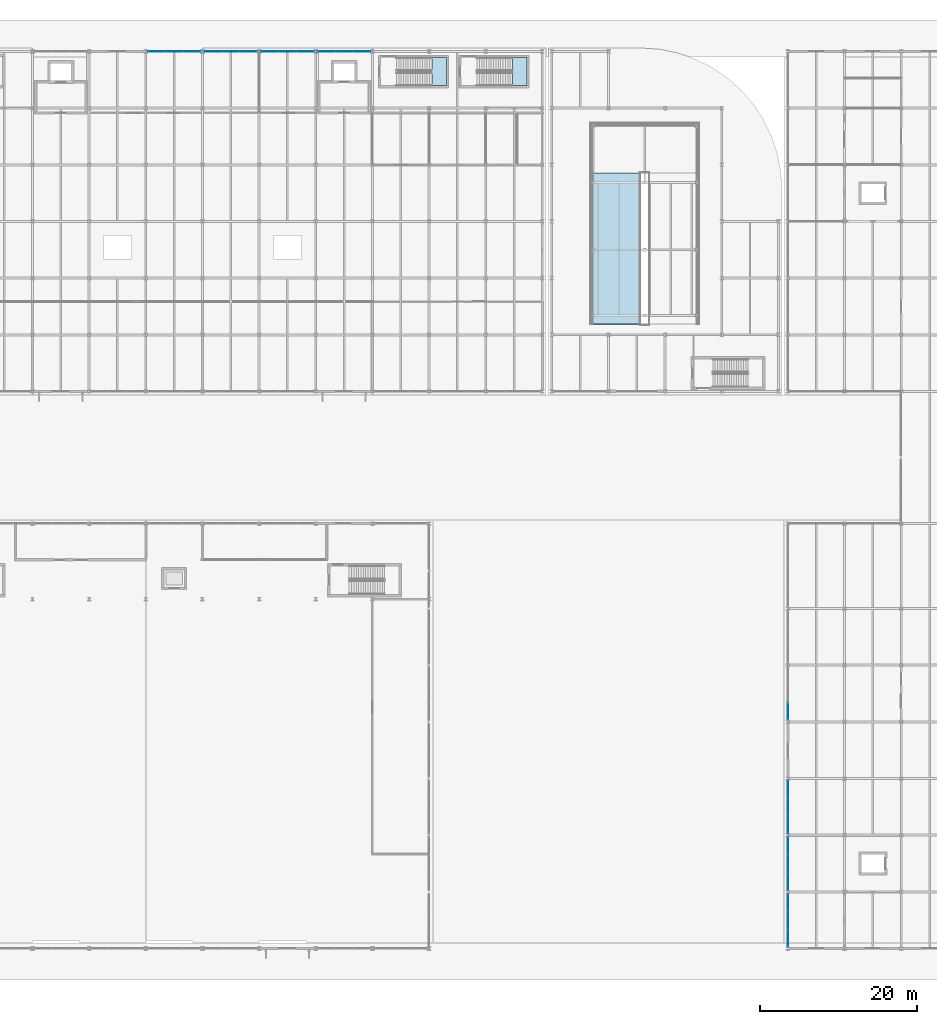
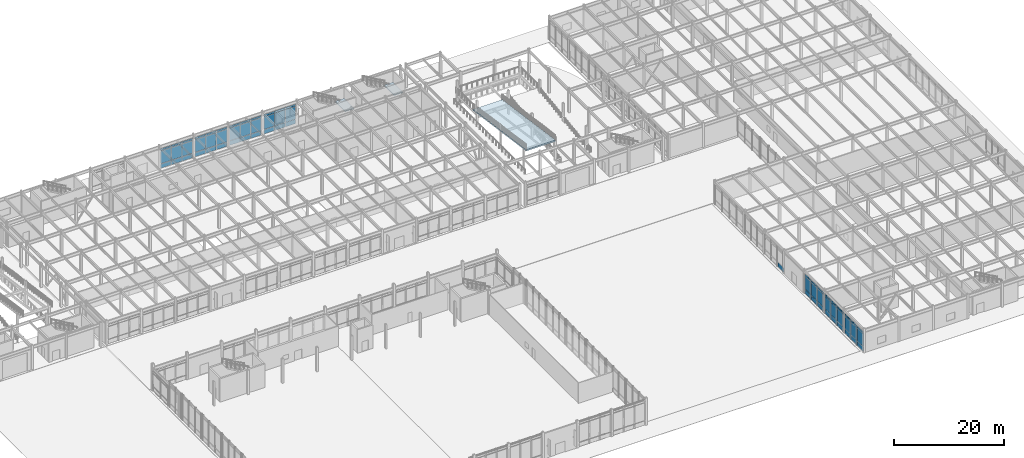
# One storey, part 63 of 104: 64 plates, 3 slabs, 10 elements without a shape of their own.
"""IFC4 building model written with IfcOpenShell, lengths in metres."""

from ifc_helpers import new_model, si_unit, direction, frame, origin, origin_2d, place, context, subcontext, project, spatial, polyline, rectangle, outline, extrude, material, layer, layer_set, type_object, element, aggregate, save


model = new_model("IFC4")

# Units and contexts
model_context = context("Model", 3, precision=1e-05, world=origin(), true_north=direction((0.0, 1.0)))
body_context = subcontext(model_context, "Body", "Model", "MODEL_VIEW")
ifc_project = project(units=[si_unit("LENGTHUNIT", "METRE"), si_unit("AREAUNIT", "SQUARE_METRE"), si_unit("VOLUMEUNIT", "CUBIC_METRE"), si_unit("PLANEANGLEUNIT", "RADIAN"), si_unit("MASSUNIT", "GRAM", prefix="KILO")], contexts=[model_context])

# Site, building, storey
site_placement = place(None, origin())
site = spatial("IfcSite", under=ifc_project, at=site_placement, CompositionType="ELEMENT")
building_placement = place(site_placement, origin())
building = spatial("IfcBuilding", under=site, at=building_placement, Name="Vaelcorin Mobility Hub", CompositionType="ELEMENT")
storey_placement = place(building_placement, origin())
storey = spatial("IfcBuildingStorey", under=building, at=storey_placement, Name="L00", CompositionType="ELEMENT", Elevation=0.0)

# Curtain wall, plates
ifc_material_1 = material(Name="Anodised aluminium 6063-T6", Category="aluminium")
curtain_wall_type_1 = type_object("IfcCurtainWallType", Name="CW-MSC-B", PredefinedType="NOTDEFINED", material=ifc_material_1)
curtain_wall_1_placement = place(storey_placement, origin())
curtain_wall_1 = element("IfcCurtainWall", 1, at=curtain_wall_1_placement, inside=storey, type_object=curtain_wall_type_1, Name="L00 Curtain Wall CW-V4-L00-N-06", PredefinedType="NOTDEFINED")
ifc_material_2 = material(Name="Low-E solar-control insulated glazing", Category="glass")
ifc_layer_1 = layer(ifc_material_2, 0.031982421875)
ifc_layer_set_1 = layer_set([ifc_layer_1], Name="Low-E solar-control insulated glazing")
plate_type = type_object("IfcPlateType", Name="CW-PAN-GLZ32", PredefinedType="CURTAIN_PANEL", material=ifc_layer_set_1)
plate_1_placement = place(storey_placement, frame((73.361572265625, 120.0, 0.06005859375), z_axis=(0.0, 0.0, 1.0), x_axis=(1.0, 0.0, 0.0)))
plate_1 = element("IfcPlate", 2, at=plate_1_placement, type_object=plate_type, Name="CW4 panel 1.1", PredefinedType="CURTAIN_PANEL", context=body_context, shape_type="SweptSolid", body=[
    extrude(rectangle(XDim=2.163330078125, YDim=0.028076171875, at=origin_2d()), origin(), (0.0, 0.0, 1.0), 0.9599609375),
])
plate_2_placement = place(storey_placement, frame((73.361572265625, 120.0, 1.080078125), z_axis=(0.0, 0.0, 1.0), x_axis=(1.0, 0.0, 0.0)))
plate_2 = element("IfcPlate", 3, at=plate_2_placement, type_object=plate_type, Name="CW4 panel 1.2", PredefinedType="CURTAIN_PANEL", context=body_context, shape_type="SweptSolid", body=[
    extrude(rectangle(XDim=2.163330078125, YDim=0.028076171875, at=origin_2d()), origin(), (0.0, 0.0, 1.0), 2.802001953125),
])
plate_3_placement = place(storey_placement, frame((73.361572265625, 120.0, 3.942138671875), z_axis=(0.0, 0.0, 1.0), x_axis=(1.0, 0.0, 0.0)))
plate_3 = element("IfcPlate", 4, at=plate_3_placement, type_object=plate_type, Name="CW4 panel 1.3", PredefinedType="CURTAIN_PANEL", context=body_context, shape_type="SweptSolid", body=[
    extrude(rectangle(XDim=2.163330078125, YDim=0.028076171875, at=origin_2d()), origin(), (0.0, 0.0, 1.0), 0.4599609375),
])
plate_4_placement = place(storey_placement, frame((75.60009765625, 120.0, 0.06005859375), z_axis=(0.0, 0.0, 1.0), x_axis=(1.0, 0.0, 0.0)))
plate_4 = element("IfcPlate", 5, at=plate_4_placement, type_object=plate_type, Name="CW4 panel 2.1", PredefinedType="CURTAIN_PANEL", context=body_context, shape_type="SweptSolid", body=[
    extrude(rectangle(XDim=2.193359375, YDim=0.028076171875, at=origin_2d()), origin(), (0.0, 0.0, 1.0), 0.9599609375),
])
plate_5_placement = place(storey_placement, frame((75.60009765625, 120.0, 1.080078125), z_axis=(0.0, 0.0, 1.0), x_axis=(1.0, 0.0, 0.0)))
plate_5 = element("IfcPlate", 6, at=plate_5_placement, type_object=plate_type, Name="CW4 panel 2.2", PredefinedType="CURTAIN_PANEL", context=body_context, shape_type="SweptSolid", body=[
    extrude(rectangle(XDim=2.193359375, YDim=0.028076171875, at=origin_2d()), origin(), (0.0, 0.0, 1.0), 2.802001953125),
])
plate_6_placement = place(storey_placement, frame((75.60009765625, 120.0, 3.942138671875), z_axis=(0.0, 0.0, 1.0), x_axis=(1.0, 0.0, 0.0)))
plate_6 = element("IfcPlate", 7, at=plate_6_placement, type_object=plate_type, Name="CW4 panel 2.3", PredefinedType="CURTAIN_PANEL", context=body_context, shape_type="SweptSolid", body=[
    extrude(rectangle(XDim=2.193359375, YDim=0.028076171875, at=origin_2d()), origin(), (0.0, 0.0, 1.0), 0.4599609375),
])
plate_7_placement = place(storey_placement, frame((77.83837890625, 120.0, 0.06005859375), z_axis=(0.0, 0.0, 1.0), x_axis=(1.0, 0.0, 0.0)))
plate_7 = element("IfcPlate", 8, at=plate_7_placement, type_object=plate_type, Name="CW4 panel 3.1", PredefinedType="CURTAIN_PANEL", context=body_context, shape_type="SweptSolid", body=[
    extrude(rectangle(XDim=2.163330078125, YDim=0.028076171875, at=origin_2d()), origin(), (0.0, 0.0, 1.0), 0.9599609375),
])
plate_8_placement = place(storey_placement, frame((77.83837890625, 120.0, 1.080078125), z_axis=(0.0, 0.0, 1.0), x_axis=(1.0, 0.0, 0.0)))
plate_8 = element("IfcPlate", 9, at=plate_8_placement, type_object=plate_type, Name="CW4 panel 3.2", PredefinedType="CURTAIN_PANEL", context=body_context, shape_type="SweptSolid", body=[
    extrude(rectangle(XDim=2.163330078125, YDim=0.028076171875, at=origin_2d()), origin(), (0.0, 0.0, 1.0), 2.802001953125),
])
plate_9_placement = place(storey_placement, frame((77.83837890625, 120.0, 3.942138671875), z_axis=(0.0, 0.0, 1.0), x_axis=(1.0, 0.0, 0.0)))
plate_9 = element("IfcPlate", 10, at=plate_9_placement, type_object=plate_type, Name="CW4 panel 3.3", PredefinedType="CURTAIN_PANEL", context=body_context, shape_type="SweptSolid", body=[
    extrude(rectangle(XDim=2.163330078125, YDim=0.028076171875, at=origin_2d()), origin(), (0.0, 0.0, 1.0), 0.4599609375),
])
aggregate(curtain_wall_1, [plate_1, plate_2, plate_3, plate_4, plate_5, plate_6, plate_7, plate_8, plate_9])

curtain_wall_2_placement = place(storey_placement, origin())
curtain_wall_2 = element("IfcCurtainWall", 11, at=curtain_wall_2_placement, inside=storey, type_object=curtain_wall_type_1, Name="L00 Curtain Wall CW-V4-L00-N-07", PredefinedType="NOTDEFINED")
plate_10_placement = place(storey_placement, frame((80.561767578125, 120.0, 0.06005859375), z_axis=(0.0, 0.0, 1.0), x_axis=(1.0, 0.0, 0.0)))
plate_10 = element("IfcPlate", 12, at=plate_10_placement, type_object=plate_type, Name="CW4 panel 1.1", PredefinedType="CURTAIN_PANEL", context=body_context, shape_type="SweptSolid", body=[
    extrude(rectangle(XDim=2.163330078125, YDim=0.028076171875, at=origin_2d()), origin(), (0.0, 0.0, 1.0), 0.9599609375),
])
plate_11_placement = place(storey_placement, frame((80.561767578125, 120.0, 1.080078125), z_axis=(0.0, 0.0, 1.0), x_axis=(1.0, 0.0, 0.0)))
plate_11 = element("IfcPlate", 13, at=plate_11_placement, type_object=plate_type, Name="CW4 panel 1.2", PredefinedType="CURTAIN_PANEL", context=body_context, shape_type="SweptSolid", body=[
    extrude(rectangle(XDim=2.163330078125, YDim=0.028076171875, at=origin_2d()), origin(), (0.0, 0.0, 1.0), 2.802001953125),
])
plate_12_placement = place(storey_placement, frame((80.561767578125, 120.0, 3.942138671875), z_axis=(0.0, 0.0, 1.0), x_axis=(1.0, 0.0, 0.0)))
plate_12 = element("IfcPlate", 14, at=plate_12_placement, type_object=plate_type, Name="CW4 panel 1.3", PredefinedType="CURTAIN_PANEL", context=body_context, shape_type="SweptSolid", body=[
    extrude(rectangle(XDim=2.163330078125, YDim=0.028076171875, at=origin_2d()), origin(), (0.0, 0.0, 1.0), 0.4599609375),
])
plate_13_placement = place(storey_placement, frame((82.800048828125, 120.0, 0.06005859375), z_axis=(0.0, 0.0, 1.0), x_axis=(1.0, 0.0, 0.0)))
plate_13 = element("IfcPlate", 15, at=plate_13_placement, type_object=plate_type, Name="CW4 panel 2.1", PredefinedType="CURTAIN_PANEL", context=body_context, shape_type="SweptSolid", body=[
    extrude(rectangle(XDim=2.193359375, YDim=0.028076171875, at=origin_2d()), origin(), (0.0, 0.0, 1.0), 0.9599609375),
])
plate_14_placement = place(storey_placement, frame((82.800048828125, 120.0, 1.080078125), z_axis=(0.0, 0.0, 1.0), x_axis=(1.0, 0.0, 0.0)))
plate_14 = element("IfcPlate", 16, at=plate_14_placement, type_object=plate_type, Name="CW4 panel 2.2", PredefinedType="CURTAIN_PANEL", context=body_context, shape_type="SweptSolid", body=[
    extrude(rectangle(XDim=2.193359375, YDim=0.028076171875, at=origin_2d()), origin(), (0.0, 0.0, 1.0), 2.802001953125),
])
plate_15_placement = place(storey_placement, frame((82.800048828125, 120.0, 3.942138671875), z_axis=(0.0, 0.0, 1.0), x_axis=(1.0, 0.0, 0.0)))
plate_15 = element("IfcPlate", 17, at=plate_15_placement, type_object=plate_type, Name="CW4 panel 2.3", PredefinedType="CURTAIN_PANEL", context=body_context, shape_type="SweptSolid", body=[
    extrude(rectangle(XDim=2.193359375, YDim=0.028076171875, at=origin_2d()), origin(), (0.0, 0.0, 1.0), 0.4599609375),
])
plate_16_placement = place(storey_placement, frame((85.038330078125, 120.0, 0.06005859375), z_axis=(0.0, 0.0, 1.0), x_axis=(1.0, 0.0, 0.0)))
plate_16 = element("IfcPlate", 18, at=plate_16_placement, type_object=plate_type, Name="CW4 panel 3.1", PredefinedType="CURTAIN_PANEL", context=body_context, shape_type="SweptSolid", body=[
    extrude(rectangle(XDim=2.163330078125, YDim=0.028076171875, at=origin_2d()), origin(), (0.0, 0.0, 1.0), 0.9599609375),
])
plate_17_placement = place(storey_placement, frame((85.038330078125, 120.0, 1.080078125), z_axis=(0.0, 0.0, 1.0), x_axis=(1.0, 0.0, 0.0)))
plate_17 = element("IfcPlate", 19, at=plate_17_placement, type_object=plate_type, Name="CW4 panel 3.2", PredefinedType="CURTAIN_PANEL", context=body_context, shape_type="SweptSolid", body=[
    extrude(rectangle(XDim=2.163330078125, YDim=0.028076171875, at=origin_2d()), origin(), (0.0, 0.0, 1.0), 2.802001953125),
])
plate_18_placement = place(storey_placement, frame((85.038330078125, 120.0, 3.942138671875), z_axis=(0.0, 0.0, 1.0), x_axis=(1.0, 0.0, 0.0)))
plate_18 = element("IfcPlate", 20, at=plate_18_placement, type_object=plate_type, Name="CW4 panel 3.3", PredefinedType="CURTAIN_PANEL", context=body_context, shape_type="SweptSolid", body=[
    extrude(rectangle(XDim=2.163330078125, YDim=0.028076171875, at=origin_2d()), origin(), (0.0, 0.0, 1.0), 0.4599609375),
])
aggregate(curtain_wall_2, [plate_10, plate_11, plate_12, plate_13, plate_14, plate_15, plate_16, plate_17, plate_18])

curtain_wall_3_placement = place(storey_placement, origin())
curtain_wall_3 = element("IfcCurtainWall", 21, at=curtain_wall_3_placement, inside=storey, type_object=curtain_wall_type_1, Name="L00 Curtain Wall CW-V4-L00-N-08", PredefinedType="NOTDEFINED")
plate_19_placement = place(storey_placement, frame((87.76171875, 120.0, 0.06005859375), z_axis=(0.0, 0.0, 1.0), x_axis=(1.0, 0.0, 0.0)))
plate_19 = element("IfcPlate", 22, at=plate_19_placement, type_object=plate_type, Name="CW4 panel 1.1", PredefinedType="CURTAIN_PANEL", context=body_context, shape_type="SweptSolid", body=[
    extrude(rectangle(XDim=2.163330078125, YDim=0.028076171875, at=origin_2d()), origin(), (0.0, 0.0, 1.0), 0.9599609375),
])
plate_20_placement = place(storey_placement, frame((87.76171875, 120.0, 1.080078125), z_axis=(0.0, 0.0, 1.0), x_axis=(1.0, 0.0, 0.0)))
plate_20 = element("IfcPlate", 23, at=plate_20_placement, type_object=plate_type, Name="CW4 panel 1.2", PredefinedType="CURTAIN_PANEL", context=body_context, shape_type="SweptSolid", body=[
    extrude(rectangle(XDim=2.163330078125, YDim=0.028076171875, at=origin_2d()), origin(), (0.0, 0.0, 1.0), 2.802001953125),
])
plate_21_placement = place(storey_placement, frame((87.76171875, 120.0, 3.942138671875), z_axis=(0.0, 0.0, 1.0), x_axis=(1.0, 0.0, 0.0)))
plate_21 = element("IfcPlate", 24, at=plate_21_placement, type_object=plate_type, Name="CW4 panel 1.3", PredefinedType="CURTAIN_PANEL", context=body_context, shape_type="SweptSolid", body=[
    extrude(rectangle(XDim=2.163330078125, YDim=0.028076171875, at=origin_2d()), origin(), (0.0, 0.0, 1.0), 0.4599609375),
])
plate_22_placement = place(storey_placement, frame((90.0, 120.0, 0.06005859375), z_axis=(0.0, 0.0, 1.0), x_axis=(1.0, 0.0, 0.0)))
plate_22 = element("IfcPlate", 25, at=plate_22_placement, type_object=plate_type, Name="CW4 panel 2.1", PredefinedType="CURTAIN_PANEL", context=body_context, shape_type="SweptSolid", body=[
    extrude(rectangle(XDim=2.193359375, YDim=0.028076171875, at=origin_2d()), origin(), (0.0, 0.0, 1.0), 0.9599609375),
])
plate_23_placement = place(storey_placement, frame((90.0, 120.0, 1.080078125), z_axis=(0.0, 0.0, 1.0), x_axis=(1.0, 0.0, 0.0)))
plate_23 = element("IfcPlate", 26, at=plate_23_placement, type_object=plate_type, Name="CW4 panel 2.2", PredefinedType="CURTAIN_PANEL", context=body_context, shape_type="SweptSolid", body=[
    extrude(rectangle(XDim=2.193359375, YDim=0.028076171875, at=origin_2d()), origin(), (0.0, 0.0, 1.0), 2.802001953125),
])
plate_24_placement = place(storey_placement, frame((90.0, 120.0, 3.942138671875), z_axis=(0.0, 0.0, 1.0), x_axis=(1.0, 0.0, 0.0)))
plate_24 = element("IfcPlate", 27, at=plate_24_placement, type_object=plate_type, Name="CW4 panel 2.3", PredefinedType="CURTAIN_PANEL", context=body_context, shape_type="SweptSolid", body=[
    extrude(rectangle(XDim=2.193359375, YDim=0.028076171875, at=origin_2d()), origin(), (0.0, 0.0, 1.0), 0.4599609375),
])
plate_25_placement = place(storey_placement, frame((92.23828125, 120.0, 0.06005859375), z_axis=(0.0, 0.0, 1.0), x_axis=(1.0, 0.0, 0.0)))
plate_25 = element("IfcPlate", 28, at=plate_25_placement, type_object=plate_type, Name="CW4 panel 3.1", PredefinedType="CURTAIN_PANEL", context=body_context, shape_type="SweptSolid", body=[
    extrude(rectangle(XDim=2.163330078125, YDim=0.028076171875, at=origin_2d()), origin(), (0.0, 0.0, 1.0), 0.9599609375),
])
plate_26_placement = place(storey_placement, frame((92.23828125, 120.0, 1.080078125), z_axis=(0.0, 0.0, 1.0), x_axis=(1.0, 0.0, 0.0)))
plate_26 = element("IfcPlate", 29, at=plate_26_placement, type_object=plate_type, Name="CW4 panel 3.2", PredefinedType="CURTAIN_PANEL", context=body_context, shape_type="SweptSolid", body=[
    extrude(rectangle(XDim=2.163330078125, YDim=0.028076171875, at=origin_2d()), origin(), (0.0, 0.0, 1.0), 2.802001953125),
])
plate_27_placement = place(storey_placement, frame((92.23828125, 120.0, 3.942138671875), z_axis=(0.0, 0.0, 1.0), x_axis=(1.0, 0.0, 0.0)))
plate_27 = element("IfcPlate", 30, at=plate_27_placement, type_object=plate_type, Name="CW4 panel 3.3", PredefinedType="CURTAIN_PANEL", context=body_context, shape_type="SweptSolid", body=[
    extrude(rectangle(XDim=2.163330078125, YDim=0.028076171875, at=origin_2d()), origin(), (0.0, 0.0, 1.0), 0.4599609375),
])
aggregate(curtain_wall_3, [plate_19, plate_20, plate_21, plate_22, plate_23, plate_24, plate_25, plate_26, plate_27])

curtain_wall_4_placement = place(storey_placement, origin())
curtain_wall_4 = element("IfcCurtainWall", 31, at=curtain_wall_4_placement, inside=storey, type_object=curtain_wall_type_1, Name="L00 Curtain Wall CW-V4-L00-N-09", PredefinedType="NOTDEFINED")
plate_28_placement = place(storey_placement, frame((94.961669921875, 120.0, 0.06005859375), z_axis=(0.0, 0.0, 1.0), x_axis=(1.0, 0.0, 0.0)))
plate_28 = element("IfcPlate", 32, at=plate_28_placement, type_object=plate_type, Name="CW4 panel 1.1", PredefinedType="CURTAIN_PANEL", context=body_context, shape_type="SweptSolid", body=[
    extrude(rectangle(XDim=2.163330078125, YDim=0.028076171875, at=origin_2d()), origin(), (0.0, 0.0, 1.0), 0.9599609375),
])
plate_29_placement = place(storey_placement, frame((94.961669921875, 120.0, 1.080078125), z_axis=(0.0, 0.0, 1.0), x_axis=(1.0, 0.0, 0.0)))
plate_29 = element("IfcPlate", 33, at=plate_29_placement, type_object=plate_type, Name="CW4 panel 1.2", PredefinedType="CURTAIN_PANEL", context=body_context, shape_type="SweptSolid", body=[
    extrude(rectangle(XDim=2.163330078125, YDim=0.028076171875, at=origin_2d()), origin(), (0.0, 0.0, 1.0), 2.802001953125),
])
plate_30_placement = place(storey_placement, frame((94.961669921875, 120.0, 3.942138671875), z_axis=(0.0, 0.0, 1.0), x_axis=(1.0, 0.0, 0.0)))
plate_30 = element("IfcPlate", 34, at=plate_30_placement, type_object=plate_type, Name="CW4 panel 1.3", PredefinedType="CURTAIN_PANEL", context=body_context, shape_type="SweptSolid", body=[
    extrude(rectangle(XDim=2.163330078125, YDim=0.028076171875, at=origin_2d()), origin(), (0.0, 0.0, 1.0), 0.4599609375),
])
plate_31_placement = place(storey_placement, frame((97.199951171875, 120.0, 0.06005859375), z_axis=(0.0, 0.0, 1.0), x_axis=(1.0, 0.0, 0.0)))
plate_31 = element("IfcPlate", 35, at=plate_31_placement, type_object=plate_type, Name="CW4 panel 2.1", PredefinedType="CURTAIN_PANEL", context=body_context, shape_type="SweptSolid", body=[
    extrude(rectangle(XDim=2.193359375, YDim=0.028076171875, at=origin_2d()), origin(), (0.0, 0.0, 1.0), 0.9599609375),
])
plate_32_placement = place(storey_placement, frame((97.199951171875, 120.0, 1.080078125), z_axis=(0.0, 0.0, 1.0), x_axis=(1.0, 0.0, 0.0)))
plate_32 = element("IfcPlate", 36, at=plate_32_placement, type_object=plate_type, Name="CW4 panel 2.2", PredefinedType="CURTAIN_PANEL", context=body_context, shape_type="SweptSolid", body=[
    extrude(rectangle(XDim=2.193359375, YDim=0.028076171875, at=origin_2d()), origin(), (0.0, 0.0, 1.0), 2.802001953125),
])
plate_33_placement = place(storey_placement, frame((97.199951171875, 120.0, 3.942138671875), z_axis=(0.0, 0.0, 1.0), x_axis=(1.0, 0.0, 0.0)))
plate_33 = element("IfcPlate", 37, at=plate_33_placement, type_object=plate_type, Name="CW4 panel 2.3", PredefinedType="CURTAIN_PANEL", context=body_context, shape_type="SweptSolid", body=[
    extrude(rectangle(XDim=2.193359375, YDim=0.028076171875, at=origin_2d()), origin(), (0.0, 0.0, 1.0), 0.4599609375),
])
plate_34_placement = place(storey_placement, frame((99.438232421875, 120.0, 0.06005859375), z_axis=(0.0, 0.0, 1.0), x_axis=(1.0, 0.0, 0.0)))
plate_34 = element("IfcPlate", 38, at=plate_34_placement, type_object=plate_type, Name="CW4 panel 3.1", PredefinedType="CURTAIN_PANEL", context=body_context, shape_type="SweptSolid", body=[
    extrude(rectangle(XDim=2.163330078125, YDim=0.028076171875, at=origin_2d()), origin(), (0.0, 0.0, 1.0), 0.9599609375),
])
plate_35_placement = place(storey_placement, frame((99.438232421875, 120.0, 1.080078125), z_axis=(0.0, 0.0, 1.0), x_axis=(1.0, 0.0, 0.0)))
plate_35 = element("IfcPlate", 39, at=plate_35_placement, type_object=plate_type, Name="CW4 panel 3.2", PredefinedType="CURTAIN_PANEL", context=body_context, shape_type="SweptSolid", body=[
    extrude(rectangle(XDim=2.163330078125, YDim=0.028076171875, at=origin_2d()), origin(), (0.0, 0.0, 1.0), 2.802001953125),
])
plate_36_placement = place(storey_placement, frame((99.438232421875, 120.0, 3.942138671875), z_axis=(0.0, 0.0, 1.0), x_axis=(1.0, 0.0, 0.0)))
plate_36 = element("IfcPlate", 40, at=plate_36_placement, type_object=plate_type, Name="CW4 panel 3.3", PredefinedType="CURTAIN_PANEL", context=body_context, shape_type="SweptSolid", body=[
    extrude(rectangle(XDim=2.163330078125, YDim=0.028076171875, at=origin_2d()), origin(), (0.0, 0.0, 1.0), 0.4599609375),
])
aggregate(curtain_wall_4, [plate_28, plate_29, plate_30, plate_31, plate_32, plate_33, plate_34, plate_35, plate_36])

curtain_wall_type_2 = type_object("IfcCurtainWallType", Name="CW-MOB-A", PredefinedType="NOTDEFINED", material=ifc_material_1)
curtain_wall_5_placement = place(storey_placement, origin())
curtain_wall_5 = element("IfcCurtainWall", 41, at=curtain_wall_5_placement, inside=storey, type_object=curtain_wall_type_2, Name="L00 Curtain Wall CW-V5-L00-WS-01", PredefinedType="NOTDEFINED")
plate_37_placement = place(storey_placement, frame((153.60009765625, 7.361572265625, 0.06005859375), z_axis=(0.0, 0.0, 1.0), x_axis=(0.0, 1.0, 0.0)))
plate_37 = element("IfcPlate", 42, at=plate_37_placement, type_object=plate_type, Name="CW7 panel 1.1", PredefinedType="CURTAIN_PANEL", context=body_context, shape_type="SweptSolid", body=[
    extrude(rectangle(XDim=2.163330078125, YDim=0.028076171875, at=origin_2d()), origin(), (0.0, 0.0, 1.0), 0.9599609375),
])
plate_38_placement = place(storey_placement, frame((153.60009765625, 7.361572265625, 1.080078125), z_axis=(0.0, 0.0, 1.0), x_axis=(0.0, 1.0, 0.0)))
plate_38 = element("IfcPlate", 43, at=plate_38_placement, type_object=plate_type, Name="CW7 panel 1.2", PredefinedType="CURTAIN_PANEL", context=body_context, shape_type="SweptSolid", body=[
    extrude(rectangle(XDim=2.163330078125, YDim=0.028076171875, at=origin_2d()), origin(), (0.0, 0.0, 1.0), 2.781982421875),
])
plate_39_placement = place(storey_placement, frame((153.60009765625, 7.361572265625, 3.922119140625), z_axis=(0.0, 0.0, 1.0), x_axis=(0.0, 1.0, 0.0)))
plate_39 = element("IfcPlate", 44, at=plate_39_placement, type_object=plate_type, Name="CW7 panel 1.3", PredefinedType="CURTAIN_PANEL", context=body_context, shape_type="SweptSolid", body=[
    extrude(rectangle(XDim=2.163330078125, YDim=0.028076171875, at=origin_2d()), origin(), (0.0, 0.0, 1.0), 0.4599609375),
])
plate_40_placement = place(storey_placement, frame((153.60009765625, 9.60009765625, 0.06005859375), z_axis=(0.0, 0.0, 1.0), x_axis=(0.0, 1.0, 0.0)))
plate_40 = element("IfcPlate", 45, at=plate_40_placement, type_object=plate_type, Name="CW7 panel 2.1", PredefinedType="CURTAIN_PANEL", context=body_context, shape_type="SweptSolid", body=[
    extrude(rectangle(XDim=2.193359375, YDim=0.028076171875, at=origin_2d()), origin(), (0.0, 0.0, 1.0), 0.9599609375),
])
plate_41_placement = place(storey_placement, frame((153.60009765625, 9.60009765625, 1.080078125), z_axis=(0.0, 0.0, 1.0), x_axis=(0.0, 1.0, 0.0)))
plate_41 = element("IfcPlate", 46, at=plate_41_placement, type_object=plate_type, Name="CW7 panel 2.2", PredefinedType="CURTAIN_PANEL", context=body_context, shape_type="SweptSolid", body=[
    extrude(rectangle(XDim=2.193359375, YDim=0.028076171875, at=origin_2d()), origin(), (0.0, 0.0, 1.0), 2.781982421875),
])
plate_42_placement = place(storey_placement, frame((153.60009765625, 9.60009765625, 3.922119140625), z_axis=(0.0, 0.0, 1.0), x_axis=(0.0, 1.0, 0.0)))
plate_42 = element("IfcPlate", 47, at=plate_42_placement, type_object=plate_type, Name="CW7 panel 2.3", PredefinedType="CURTAIN_PANEL", context=body_context, shape_type="SweptSolid", body=[
    extrude(rectangle(XDim=2.193359375, YDim=0.028076171875, at=origin_2d()), origin(), (0.0, 0.0, 1.0), 0.4599609375),
])
plate_43_placement = place(storey_placement, frame((153.60009765625, 11.83837890625, 0.06005859375), z_axis=(0.0, 0.0, 1.0), x_axis=(0.0, 1.0, 0.0)))
plate_43 = element("IfcPlate", 48, at=plate_43_placement, type_object=plate_type, Name="CW7 panel 3.1", PredefinedType="CURTAIN_PANEL", context=body_context, shape_type="SweptSolid", body=[
    extrude(rectangle(XDim=2.163330078125, YDim=0.028076171875, at=origin_2d()), origin(), (0.0, 0.0, 1.0), 0.9599609375),
])
plate_44_placement = place(storey_placement, frame((153.60009765625, 11.83837890625, 1.080078125), z_axis=(0.0, 0.0, 1.0), x_axis=(0.0, 1.0, 0.0)))
plate_44 = element("IfcPlate", 49, at=plate_44_placement, type_object=plate_type, Name="CW7 panel 3.2", PredefinedType="CURTAIN_PANEL", context=body_context, shape_type="SweptSolid", body=[
    extrude(rectangle(XDim=2.163330078125, YDim=0.028076171875, at=origin_2d()), origin(), (0.0, 0.0, 1.0), 2.781982421875),
])
plate_45_placement = place(storey_placement, frame((153.60009765625, 11.83837890625, 3.922119140625), z_axis=(0.0, 0.0, 1.0), x_axis=(0.0, 1.0, 0.0)))
plate_45 = element("IfcPlate", 50, at=plate_45_placement, type_object=plate_type, Name="CW7 panel 3.3", PredefinedType="CURTAIN_PANEL", context=body_context, shape_type="SweptSolid", body=[
    extrude(rectangle(XDim=2.163330078125, YDim=0.028076171875, at=origin_2d()), origin(), (0.0, 0.0, 1.0), 0.4599609375),
])
aggregate(curtain_wall_5, [plate_37, plate_38, plate_39, plate_40, plate_41, plate_42, plate_43, plate_44, plate_45])

curtain_wall_6_placement = place(storey_placement, origin())
curtain_wall_6 = element("IfcCurtainWall", 51, at=curtain_wall_6_placement, inside=storey, type_object=curtain_wall_type_2, Name="L00 Curtain Wall CW-V5-L00-WS-02", PredefinedType="NOTDEFINED")
plate_46_placement = place(storey_placement, frame((153.60009765625, 14.561767578125, 0.06005859375), z_axis=(0.0, 0.0, 1.0), x_axis=(0.0, 1.0, 0.0)))
plate_46 = element("IfcPlate", 52, at=plate_46_placement, type_object=plate_type, Name="CW7 panel 1.1", PredefinedType="CURTAIN_PANEL", context=body_context, shape_type="SweptSolid", body=[
    extrude(rectangle(XDim=2.163330078125, YDim=0.028076171875, at=origin_2d()), origin(), (0.0, 0.0, 1.0), 0.9599609375),
])
plate_47_placement = place(storey_placement, frame((153.60009765625, 14.561767578125, 1.080078125), z_axis=(0.0, 0.0, 1.0), x_axis=(0.0, 1.0, 0.0)))
plate_47 = element("IfcPlate", 53, at=plate_47_placement, type_object=plate_type, Name="CW7 panel 1.2", PredefinedType="CURTAIN_PANEL", context=body_context, shape_type="SweptSolid", body=[
    extrude(rectangle(XDim=2.163330078125, YDim=0.028076171875, at=origin_2d()), origin(), (0.0, 0.0, 1.0), 2.781982421875),
])
plate_48_placement = place(storey_placement, frame((153.60009765625, 14.561767578125, 3.922119140625), z_axis=(0.0, 0.0, 1.0), x_axis=(0.0, 1.0, 0.0)))
plate_48 = element("IfcPlate", 54, at=plate_48_placement, type_object=plate_type, Name="CW7 panel 1.3", PredefinedType="CURTAIN_PANEL", context=body_context, shape_type="SweptSolid", body=[
    extrude(rectangle(XDim=2.163330078125, YDim=0.028076171875, at=origin_2d()), origin(), (0.0, 0.0, 1.0), 0.4599609375),
])
plate_49_placement = place(storey_placement, frame((153.60009765625, 16.800048828125, 0.06005859375), z_axis=(0.0, 0.0, 1.0), x_axis=(0.0, 1.0, 0.0)))
plate_49 = element("IfcPlate", 55, at=plate_49_placement, type_object=plate_type, Name="CW7 panel 2.1", PredefinedType="CURTAIN_PANEL", context=body_context, shape_type="SweptSolid", body=[
    extrude(rectangle(XDim=2.193359375, YDim=0.028076171875, at=origin_2d()), origin(), (0.0, 0.0, 1.0), 0.9599609375),
])
plate_50_placement = place(storey_placement, frame((153.60009765625, 16.800048828125, 1.080078125), z_axis=(0.0, 0.0, 1.0), x_axis=(0.0, 1.0, 0.0)))
plate_50 = element("IfcPlate", 56, at=plate_50_placement, type_object=plate_type, Name="CW7 panel 2.2", PredefinedType="CURTAIN_PANEL", context=body_context, shape_type="SweptSolid", body=[
    extrude(rectangle(XDim=2.193359375, YDim=0.028076171875, at=origin_2d()), origin(), (0.0, 0.0, 1.0), 2.781982421875),
])
plate_51_placement = place(storey_placement, frame((153.60009765625, 16.800048828125, 3.922119140625), z_axis=(0.0, 0.0, 1.0), x_axis=(0.0, 1.0, 0.0)))
plate_51 = element("IfcPlate", 57, at=plate_51_placement, type_object=plate_type, Name="CW7 panel 2.3", PredefinedType="CURTAIN_PANEL", context=body_context, shape_type="SweptSolid", body=[
    extrude(rectangle(XDim=2.193359375, YDim=0.028076171875, at=origin_2d()), origin(), (0.0, 0.0, 1.0), 0.4599609375),
])
plate_52_placement = place(storey_placement, frame((153.60009765625, 19.038330078125, 0.06005859375), z_axis=(0.0, 0.0, 1.0), x_axis=(0.0, 1.0, 0.0)))
plate_52 = element("IfcPlate", 58, at=plate_52_placement, type_object=plate_type, Name="CW7 panel 3.1", PredefinedType="CURTAIN_PANEL", context=body_context, shape_type="SweptSolid", body=[
    extrude(rectangle(XDim=2.163330078125, YDim=0.028076171875, at=origin_2d()), origin(), (0.0, 0.0, 1.0), 0.9599609375),
])
plate_53_placement = place(storey_placement, frame((153.60009765625, 19.038330078125, 1.080078125), z_axis=(0.0, 0.0, 1.0), x_axis=(0.0, 1.0, 0.0)))
plate_53 = element("IfcPlate", 59, at=plate_53_placement, type_object=plate_type, Name="CW7 panel 3.2", PredefinedType="CURTAIN_PANEL", context=body_context, shape_type="SweptSolid", body=[
    extrude(rectangle(XDim=2.163330078125, YDim=0.028076171875, at=origin_2d()), origin(), (0.0, 0.0, 1.0), 2.781982421875),
])
plate_54_placement = place(storey_placement, frame((153.60009765625, 19.038330078125, 3.922119140625), z_axis=(0.0, 0.0, 1.0), x_axis=(0.0, 1.0, 0.0)))
plate_54 = element("IfcPlate", 60, at=plate_54_placement, type_object=plate_type, Name="CW7 panel 3.3", PredefinedType="CURTAIN_PANEL", context=body_context, shape_type="SweptSolid", body=[
    extrude(rectangle(XDim=2.163330078125, YDim=0.028076171875, at=origin_2d()), origin(), (0.0, 0.0, 1.0), 0.4599609375),
])
aggregate(curtain_wall_6, [plate_46, plate_47, plate_48, plate_49, plate_50, plate_51, plate_52, plate_53, plate_54])

curtain_wall_7_placement = place(storey_placement, origin())
curtain_wall_7 = element("IfcCurtainWall", 61, at=curtain_wall_7_placement, inside=storey, type_object=curtain_wall_type_2, Name="L00 Curtain Wall CW-V5-L00-WS-03", PredefinedType="NOTDEFINED")
plate_55_placement = place(storey_placement, frame((153.60009765625, 21.76171875, 0.06005859375), z_axis=(0.0, 0.0, 1.0), x_axis=(0.0, 1.0, 0.0)))
plate_55 = element("IfcPlate", 62, at=plate_55_placement, type_object=plate_type, Name="CW7 panel 1.1", PredefinedType="CURTAIN_PANEL", context=body_context, shape_type="SweptSolid", body=[
    extrude(rectangle(XDim=2.163330078125, YDim=0.028076171875, at=origin_2d()), origin(), (0.0, 0.0, 1.0), 0.9599609375),
])
plate_56_placement = place(storey_placement, frame((153.60009765625, 21.76171875, 1.080078125), z_axis=(0.0, 0.0, 1.0), x_axis=(0.0, 1.0, 0.0)))
plate_56 = element("IfcPlate", 63, at=plate_56_placement, type_object=plate_type, Name="CW7 panel 1.2", PredefinedType="CURTAIN_PANEL", context=body_context, shape_type="SweptSolid", body=[
    extrude(rectangle(XDim=2.163330078125, YDim=0.028076171875, at=origin_2d()), origin(), (0.0, 0.0, 1.0), 2.781982421875),
])
plate_57_placement = place(storey_placement, frame((153.60009765625, 21.76171875, 3.922119140625), z_axis=(0.0, 0.0, 1.0), x_axis=(0.0, 1.0, 0.0)))
plate_57 = element("IfcPlate", 64, at=plate_57_placement, type_object=plate_type, Name="CW7 panel 1.3", PredefinedType="CURTAIN_PANEL", context=body_context, shape_type="SweptSolid", body=[
    extrude(rectangle(XDim=2.163330078125, YDim=0.028076171875, at=origin_2d()), origin(), (0.0, 0.0, 1.0), 0.4599609375),
])
plate_58_placement = place(storey_placement, frame((153.60009765625, 24.0, 0.06005859375), z_axis=(0.0, 0.0, 1.0), x_axis=(0.0, 1.0, 0.0)))
plate_58 = element("IfcPlate", 65, at=plate_58_placement, type_object=plate_type, Name="CW7 panel 2.1", PredefinedType="CURTAIN_PANEL", context=body_context, shape_type="SweptSolid", body=[
    extrude(rectangle(XDim=2.193359375, YDim=0.028076171875, at=origin_2d()), origin(), (0.0, 0.0, 1.0), 0.9599609375),
])
plate_59_placement = place(storey_placement, frame((153.60009765625, 24.0, 1.080078125), z_axis=(0.0, 0.0, 1.0), x_axis=(0.0, 1.0, 0.0)))
plate_59 = element("IfcPlate", 66, at=plate_59_placement, type_object=plate_type, Name="CW7 panel 2.2", PredefinedType="CURTAIN_PANEL", context=body_context, shape_type="SweptSolid", body=[
    extrude(rectangle(XDim=2.193359375, YDim=0.028076171875, at=origin_2d()), origin(), (0.0, 0.0, 1.0), 2.781982421875),
])
plate_60_placement = place(storey_placement, frame((153.60009765625, 24.0, 3.922119140625), z_axis=(0.0, 0.0, 1.0), x_axis=(0.0, 1.0, 0.0)))
plate_60 = element("IfcPlate", 67, at=plate_60_placement, type_object=plate_type, Name="CW7 panel 2.3", PredefinedType="CURTAIN_PANEL", context=body_context, shape_type="SweptSolid", body=[
    extrude(rectangle(XDim=2.193359375, YDim=0.028076171875, at=origin_2d()), origin(), (0.0, 0.0, 1.0), 0.4599609375),
])
plate_61_placement = place(storey_placement, frame((153.60009765625, 26.23828125, 0.06005859375), z_axis=(0.0, 0.0, 1.0), x_axis=(0.0, 1.0, 0.0)))
plate_61 = element("IfcPlate", 68, at=plate_61_placement, type_object=plate_type, Name="CW7 panel 3.1", PredefinedType="CURTAIN_PANEL", context=body_context, shape_type="SweptSolid", body=[
    extrude(rectangle(XDim=2.163330078125, YDim=0.028076171875, at=origin_2d()), origin(), (0.0, 0.0, 1.0), 0.9599609375),
])
plate_62_placement = place(storey_placement, frame((153.60009765625, 26.23828125, 1.080078125), z_axis=(0.0, 0.0, 1.0), x_axis=(0.0, 1.0, 0.0)))
plate_62 = element("IfcPlate", 69, at=plate_62_placement, type_object=plate_type, Name="CW7 panel 3.2", PredefinedType="CURTAIN_PANEL", context=body_context, shape_type="SweptSolid", body=[
    extrude(rectangle(XDim=2.163330078125, YDim=0.028076171875, at=origin_2d()), origin(), (0.0, 0.0, 1.0), 2.781982421875),
])
plate_63_placement = place(storey_placement, frame((153.60009765625, 26.23828125, 3.922119140625), z_axis=(0.0, 0.0, 1.0), x_axis=(0.0, 1.0, 0.0)))
plate_63 = element("IfcPlate", 70, at=plate_63_placement, type_object=plate_type, Name="CW7 panel 3.3", PredefinedType="CURTAIN_PANEL", context=body_context, shape_type="SweptSolid", body=[
    extrude(rectangle(XDim=2.163330078125, YDim=0.028076171875, at=origin_2d()), origin(), (0.0, 0.0, 1.0), 0.4599609375),
])
aggregate(curtain_wall_7, [plate_55, plate_56, plate_57, plate_58, plate_59, plate_60, plate_61, plate_62, plate_63])

# Curtain wall, plate
curtain_wall_8_placement = place(storey_placement, origin())
curtain_wall_8 = element("IfcCurtainWall", 71, at=curtain_wall_8_placement, inside=storey, type_object=curtain_wall_type_2, Name="L00 Curtain Wall CW-V5-L00-WS-05", PredefinedType="NOTDEFINED")
plate_64_placement = place(storey_placement, frame((153.60009765625, 36.16162109375, 0.06005859375), z_axis=(0.0, 0.0, 1.0), x_axis=(0.0, 1.0, 0.0)))
plate_64 = element("IfcPlate", 72, at=plate_64_placement, type_object=plate_type, Name="CW7 panel 1.1", PredefinedType="CURTAIN_PANEL", context=body_context, shape_type="SweptSolid", body=[
    extrude(rectangle(XDim=2.163330078125, YDim=0.028076171875, at=origin_2d()), origin(), (0.0, 0.0, 1.0), 0.9599609375),
])
aggregate(curtain_wall_8, [plate_64])

# Stair, slab
ifc_material_3 = material(Name="Reinforced concrete f'c 45 MPa", Category="concrete")
stair_type_1 = type_object("IfcStairType", Name="STAIR-ST4", PredefinedType="HALF_TURN_STAIR", material=ifc_material_3)
stair_1_placement = place(storey_placement, origin())
stair_1 = element("IfcStair", 73, at=stair_1_placement, inside=storey, type_object=stair_type_1, Name="L00 Protected Exit Stair ST4", PredefinedType="HALF_TURN_STAIR")
ifc_layer_2 = layer(ifc_material_3, 0.199951171875)
ifc_layer_set_2 = layer_set([ifc_layer_2], Name="Reinforced concrete f'c 45 MPa")
slab_type_1 = type_object("IfcSlabType", Name="SLAB-LND-200", PredefinedType="LANDING", material=ifc_layer_set_2)
slab_1_placement = place(storey_placement, frame((0.0, 0.0, 2.5)))
slab_1 = element("IfcSlab", 74, at=slab_1_placement, type_object=slab_type_1, Name="ST4 landing 1", PredefinedType="LANDING", context=body_context, shape_type="SweptSolid", body=[
    extrude(outline(polyline([(108.35009765625, 115.64990234375), (110.199951171875, 115.64990234375), (110.199951171875, 119.2099609375), (108.35009765625, 119.2099609375), (108.35009765625, 115.64990234375)])), origin(), (0.0, 0.0, 1.0), 0.199951171875),
])
aggregate(stair_1, [slab_1])

stair_type_2 = type_object("IfcStairType", Name="STAIR-ST9", PredefinedType="HALF_TURN_STAIR", material=ifc_material_3)
stair_2_placement = place(storey_placement, origin())
stair_2 = element("IfcStair", 75, at=stair_2_placement, inside=storey, type_object=stair_type_2, Name="L00 Protected Exit Stair ST9", PredefinedType="HALF_TURN_STAIR")
slab_2_placement = place(storey_placement, frame((0.0, 0.0, 2.5)))
slab_2 = element("IfcSlab", 76, at=slab_2_placement, type_object=slab_type_1, Name="ST9 landing 1", PredefinedType="LANDING", context=body_context, shape_type="SweptSolid", body=[
    extrude(outline(polyline([(118.60009765625, 115.64990234375), (120.449951171875, 115.64990234375), (120.449951171875, 119.2099609375), (118.60009765625, 119.2099609375), (118.60009765625, 115.64990234375)])), origin(), (0.0, 0.0, 1.0), 0.199951171875),
])
aggregate(stair_2, [slab_2])

# Slab
ifc_material_4 = material(Name="Concrete f'c 35 MPa", Category="concrete")
ifc_layer_3 = layer(ifc_material_4, 0.280029296875)
ifc_layer_set_3 = layer_set([ifc_layer_3], Name="Concrete f'c 35 MPa")
slab_type_2 = type_object("IfcSlabType", Name="SLAB-RMP-VR2", PredefinedType="FLOOR", material=ifc_layer_set_3)
slab_3_placement = place(storey_placement, frame((128.699951171875, 85.360107421875, 5.39990234375), z_axis=(0.0, 0.139395234807, 0.990236824458), x_axis=(1.0, 0.0, 0.0)))
element("IfcSlab", 77, at=slab_3_placement, inside=storey, type_object=slab_type_2, Name="Vehicle Ramp VR-2 Slab L00 Flight 2", PredefinedType="FLOOR", context=body_context, shape_type="SweptSolid", body=[
    extrude(outline(polyline([(0.0, 0.0), (6.199951171875, 0.0), (6.199951171875, 19.369034928709205), (0.0, 19.369034928709205), (0.0, 0.0)])), origin(), (0.0, 0.0, -1.0), 0.280029296875),
])

save(model, "model.ifc")
